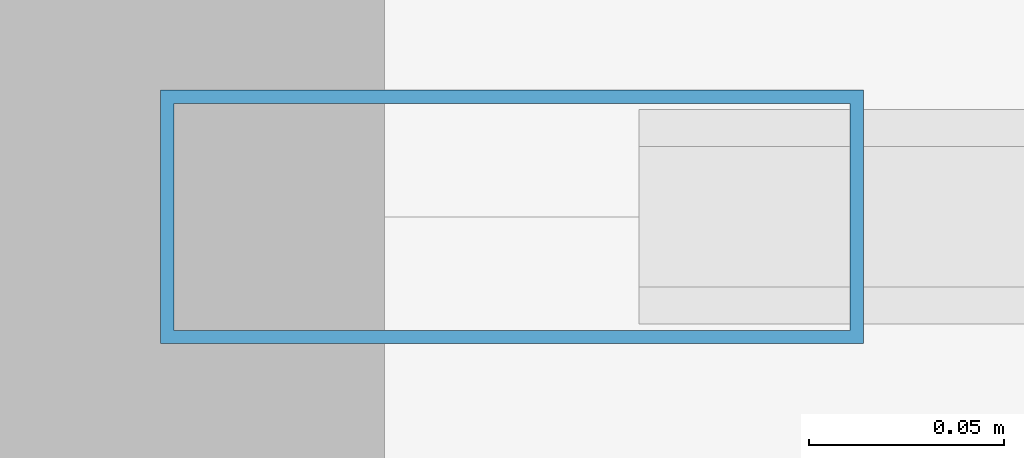
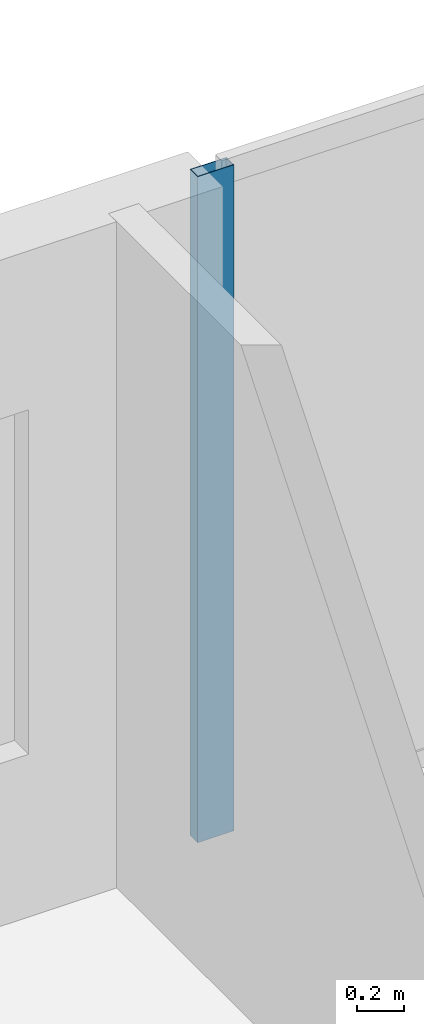
# One storey, part 14 of 25: 1 member, 1 element without a shape of its own.
"""IFC4 building model written with IfcOpenShell, lengths in metres."""

from ifc_helpers import new_model, si_unit, direction, frame, origin, origin_2d, place, context, subcontext, project, spatial, hollow_rectangle, extrude, material, layer, layer_set, material_profile, profile_set, type_object, element, aggregate, save


model = new_model("IFC4")

# Units and contexts
model_context = context("Model", 3, precision=1e-05, world=origin(), true_north=direction((0.0, 1.0)))
body_context = subcontext(model_context, "Body", "Model", "MODEL_VIEW")
ifc_project = project(units=[si_unit("LENGTHUNIT", "METRE"), si_unit("AREAUNIT", "SQUARE_METRE"), si_unit("VOLUMEUNIT", "CUBIC_METRE"), si_unit("PLANEANGLEUNIT", "RADIAN"), si_unit("MASSUNIT", "GRAM", prefix="KILO")], contexts=[model_context])

# Site, building, storey
site_placement = place(None, origin())
site = spatial("IfcSite", under=ifc_project, at=site_placement, CompositionType="ELEMENT")
building_placement = place(site_placement, origin())
building = spatial("IfcBuilding", under=site, at=building_placement, Name="Zuhayl Quay Hotel", CompositionType="ELEMENT")
storey_placement = place(building_placement, frame((0.0, 0.0, 243.35009765625)))
storey = spatial("IfcBuildingStorey", under=building, at=storey_placement, Name="L61", CompositionType="ELEMENT", Elevation=243.35009765625)

# Curtain wall, member
ifc_material_1 = material(Name="Anodised Aluminium 6063-T6", Category="aluminium")
ifc_layer = layer(ifc_material_1, 0.169921875, Name="Anodised Aluminium 6063-T6", Category="aluminium")
ifc_layer_set = layer_set([ifc_layer], Name="Anodised Aluminium 6063-T6")
curtain_wall_type = type_object("IfcCurtainWallType", Name="CW_SYS_Z4", PredefinedType="USERDEFINED", material=ifc_layer_set)
curtain_wall_placement = place(storey_placement, origin())
curtain_wall = element("IfcCurtainWall", 1, at=curtain_wall_placement, inside=storey, type_object=curtain_wall_type, Name="L61 Curtain Wall ENV_L61_N_CW1", ObjectType="UNITISED CURTAIN WALL", PredefinedType="USERDEFINED")
ifc_material_2 = material(Name="Black-anodised aluminium 6063-T6", Category="aluminium")
ifc_material_profile = material_profile(ifc_material_2, hollow_rectangle(XDim=0.06494140625, YDim=0.179931640625, WallThickness=0.00341796875, at=origin_2d()), Name="ALU180X65")
ifc_profile_set = profile_set([ifc_material_profile], Name="Black-anodised aluminium 6063-T6")
member_type = type_object("IfcMemberType", Name="MB_CW_MUL_180", PredefinedType="MULLION", material=ifc_profile_set)
member_placement = place(storey_placement, frame((8.282470703125, 39.0, 0.0), z_axis=(0.0, 0.0, 1.0), x_axis=(0.0, 1.0, 0.0)))
member = element("IfcMember", 2, at=member_placement, type_object=member_type, Name="CW-Z4 mullion 1", PredefinedType="MULLION", context=body_context, shape_type="SweptSolid", body=[
    extrude(hollow_rectangle(XDim=0.06494140625, YDim=0.179931640625, WallThickness=0.00341796875, at=origin_2d()), origin(), (0.0, 0.0, 1.0), 3.47998046875),
])
aggregate(curtain_wall, [member])

save(model, "model.ifc")
